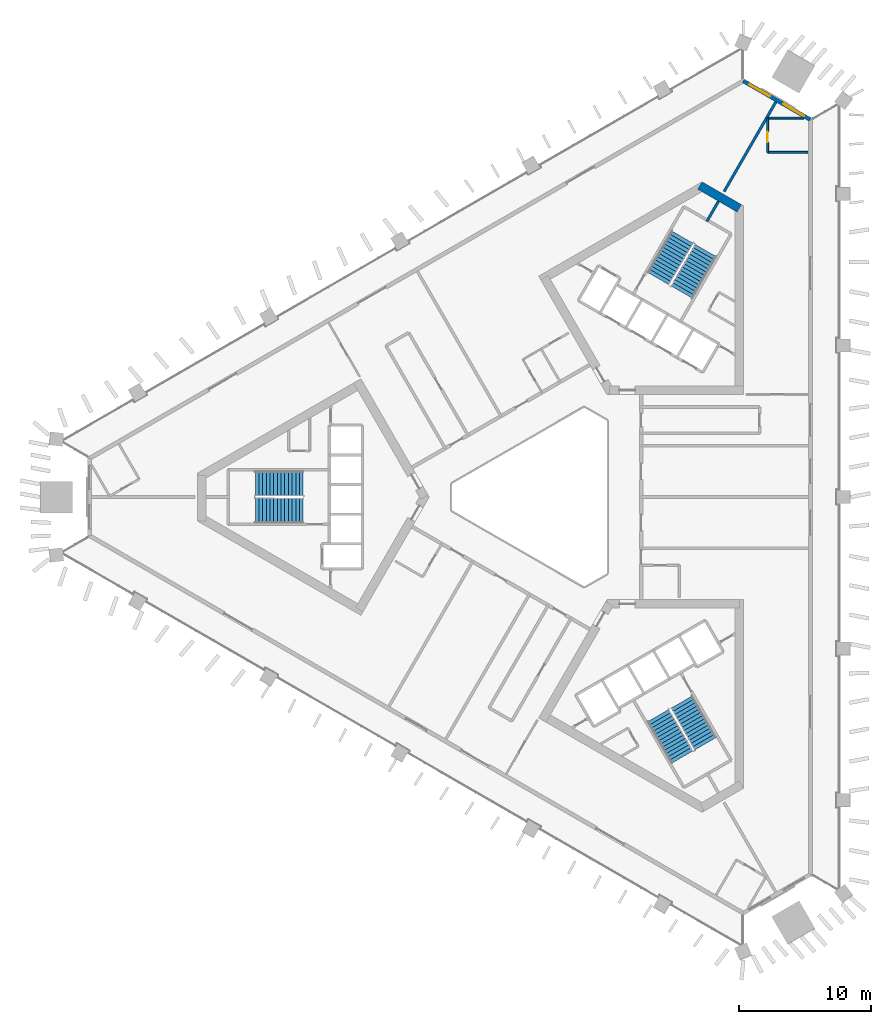
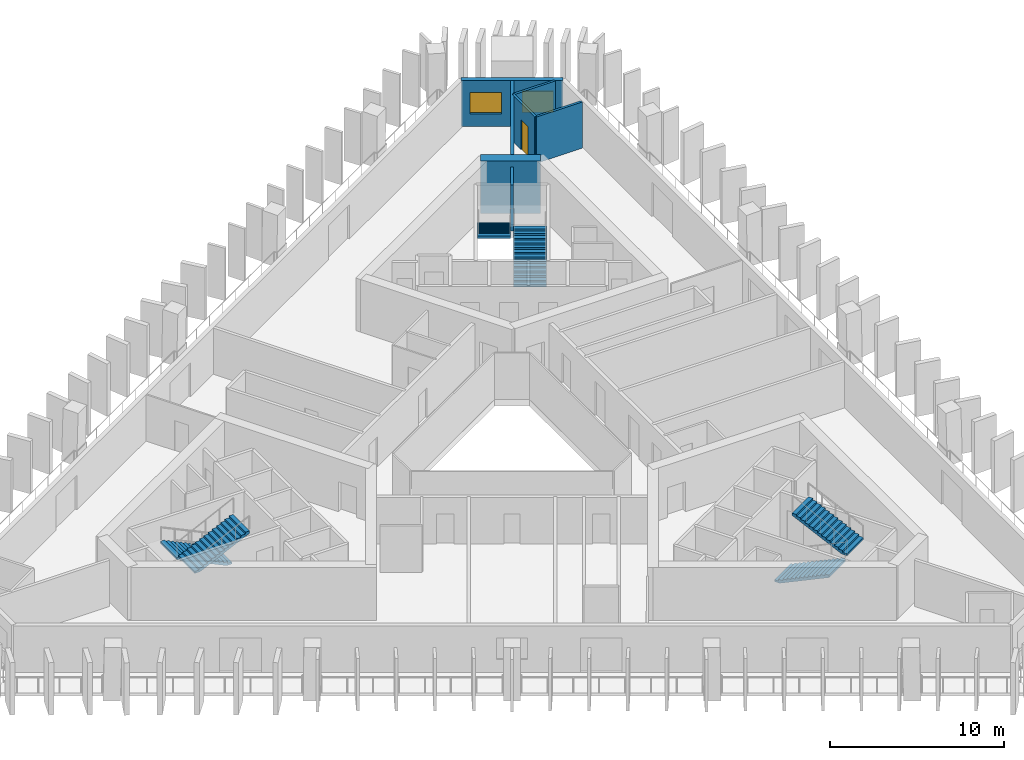
# One storey, part 6 of 10: 7 walls, 6 stair flights, 2 windows, 1 door, 3 openings, 3 elements without a shape of their own.
"""IFC4 building model written with IfcOpenShell, lengths in metres."""

from ifc_helpers import new_model, si_unit, direction, frame, frame_2d, origin, place, context, subcontext, project, spatial, polyline, rectangle, outline, extrude, material, layer, layer_set, type_object, element, fill, aggregate, save


model = new_model("IFC4")

# Units and contexts
model_context = context("Model", 3, precision=1e-05, world=origin(), true_north=direction((0.0, 1.0)))
body_context = subcontext(model_context, "Body", "Model", "MODEL_VIEW")
ifc_project = project(units=[si_unit("LENGTHUNIT", "METRE"), si_unit("AREAUNIT", "SQUARE_METRE"), si_unit("VOLUMEUNIT", "CUBIC_METRE"), si_unit("PLANEANGLEUNIT", "RADIAN"), si_unit("MASSUNIT", "GRAM", prefix="KILO")], contexts=[model_context])

# Site, building, storey
site_placement = place(None, origin())
site = spatial("IfcSite", under=ifc_project, at=site_placement, CompositionType="ELEMENT")
building_placement = place(site_placement, origin())
building = spatial("IfcBuilding", under=site, at=building_placement, Name="Jabali Bay Hotel Tower and Convention Centre", CompositionType="ELEMENT")
storey_placement = place(building_placement, frame((0.0, 0.0, 106.800048828125)))
storey = spatial("IfcBuildingStorey", under=building, at=storey_placement, Name="L25", CompositionType="ELEMENT", Elevation=106.800048828125)

# Walls
ifc_material_1 = material(Name="Concrete C40", Category="concrete")
ifc_layer_1 = layer(ifc_material_1, 0.199951171875)
ifc_layer_set_1 = layer_set([ifc_layer_1], Name="Concrete C40")
wall_type_1 = type_object("IfcWallType", Name="Core partition wall 200", PredefinedType="PARTITIONING", material=ifc_layer_set_1)
wall_1_placement = place(storey_placement, frame((87.090087890625, 100.9404296875, 0.0), z_axis=(0.0, 0.0, 1.0), x_axis=(0.499944938281, 0.866057191349, 0.0)))
element("IfcWall", 1, at=wall_1_placement, inside=storey, type_object=wall_type_1, Name="Core wall 1.5 L25", PredefinedType="PARTITIONING", context=body_context, shape_type="SweptSolid", body=[
    extrude(rectangle(XDim=1.773193359375, YDim=0.199951171875, at=frame_2d((0.88671875, 0.0))), origin(), (0.0, 0.0, 1.0), 3.25),
])
ifc_material_2 = material(Name="Concrete C60", Category="concrete")
ifc_layer_2 = layer(ifc_material_2, 0.64990234375)
ifc_layer_set_2 = layer_set([ifc_layer_2], Name="Concrete C60")
wall_type_2 = type_object("IfcWallType", Name="Core wall 650", PredefinedType="SHEAR", material=ifc_layer_set_2)
wall_2_placement = place(storey_placement, frame((89.554931640625, 101.93994140625, 0.0), z_axis=(0.0, 0.0, 1.0), x_axis=(-0.866031550877, 0.499989352773, 0.0)))
element("IfcWall", 2, at=wall_2_placement, inside=storey, type_object=wall_type_2, Name="Core wall 2.3 L25", PredefinedType="SHEAR", context=body_context, shape_type="SweptSolid", body=[
    extrude(rectangle(XDim=3.45751953125, YDim=0.64990234375, at=frame_2d((1.728759765625, 0.0))), origin(), (0.0, 0.0, 1.0), 3.699951171875),
])

# Wall, openings, windows
ifc_layer_3 = layer(ifc_material_1, 0.300048828125)
ifc_layer_set_3 = layer_set([ifc_layer_3], Name="Concrete C40")
wall_type_3 = type_object("IfcWallType", Name="External wall 300", PredefinedType="SOLIDWALL", material=ifc_layer_set_3)
wall_3_placement = place(storey_placement, frame((89.865966796875, 111.61865234375, 0.0), z_axis=(0.0, 0.0, 1.0), x_axis=(0.8660179712, -0.500012873392, 0.0)))
wall_3 = element("IfcWall", 3, at=wall_3_placement, inside=storey, type_object=wall_type_3, Name="External wall north-east chamfer L25", PredefinedType="SOLIDWALL", context=body_context, shape_type="SweptSolid", body=[
    extrude(rectangle(XDim=5.869873046875, YDim=0.300048828125, at=frame_2d((2.93505859375, 0.0))), origin(), (0.0, 0.0, 1.0), 3.25),
])
opening_1_placement = place(wall_3_placement, frame((3.5224609375, 0.0, 0.89990234375)))
opening_1 = element("IfcOpeningElement", 4, at=opening_1_placement, cuts=wall_3, Name="Opening W1", PredefinedType="OPENING", context=body_context, shape_type="SweptSolid", body=[
    extrude(rectangle(XDim=1.800048828125, YDim=1.5, at=frame_2d((0.89990234375, 0.75))), frame((0.0, 0.16064453125, 0.0), z_axis=(0.0, -1.0, 0.0), x_axis=(1.0, 0.0, 0.0)), (0.0, 0.0, 1.0), 0.321044921875),
])
opening_2_placement = place(wall_3_placement, frame((0.524658203125, 0.0, 0.89990234375)))
opening_2 = element("IfcOpeningElement", 5, at=opening_2_placement, cuts=wall_3, Name="Opening W1", PredefinedType="OPENING", context=body_context, shape_type="SweptSolid", body=[
    extrude(rectangle(XDim=1.800048828125, YDim=1.5, at=frame_2d((0.89990234375, 0.75))), frame((0.0, 0.16064453125, 0.0), z_axis=(0.0, -1.0, 0.0), x_axis=(1.0, 0.0, 0.0)), (0.0, 0.0, 1.0), 0.321044921875),
])
ifc_material_3 = material(Name="Glass", Category="glass")
window_type = type_object("IfcWindowType", Name="Window 1800 x 1500", PartitioningType="SINGLE_PANEL", PredefinedType="WINDOW", material=ifc_material_3)
window_1_placement = place(opening_1_placement, origin())
window_1 = element("IfcWindow", 6, at=window_1_placement, inside=storey, type_object=window_type, Name="Window 2502", OverallHeight=1.5, OverallWidth=1.800048828125, PartitioningType="SINGLE_PANEL", PredefinedType="WINDOW", context=body_context, shape_type="SweptSolid", body=[
    extrude(rectangle(XDim=1.800048828125, YDim=1.5, at=frame_2d((0.89990234375, 0.75))), frame((0.0, 0.030029296875, 0.0), z_axis=(0.0, -1.0, 0.0), x_axis=(1.0, 0.0, 0.0)), (0.0, 0.0, 1.0), 0.06005859375),
])
fill(opening_1, window_1)
window_2_placement = place(opening_2_placement, origin())
window_2 = element("IfcWindow", 7, at=window_2_placement, inside=storey, type_object=window_type, Name="Window 2504", OverallHeight=1.5, OverallWidth=1.800048828125, PartitioningType="SINGLE_PANEL", PredefinedType="WINDOW", context=body_context, shape_type="SweptSolid", body=[
    extrude(rectangle(XDim=1.800048828125, YDim=1.5, at=frame_2d((0.89990234375, 0.75))), frame((0.0, 0.030029296875, 0.0), z_axis=(0.0, -1.0, 0.0), x_axis=(1.0, 0.0, 0.0)), (0.0, 0.0, 1.0), 0.06005859375),
])
fill(opening_2, window_2)

# Wall
ifc_material_4 = material(Name="Plasterboard on steel stud", Category="steel")
ifc_layer_4 = layer(ifc_material_4, 0.14990234375)
ifc_layer_set_4 = layer_set([ifc_layer_4], Name="Plasterboard on steel stud")
wall_type_4 = type_object("IfcWallType", Name="Partition 150 wet", PredefinedType="PARTITIONING", material=ifc_layer_set_4)
wall_4_placement = place(storey_placement, frame((94.759521484375, 106.1943359375, 0.0), z_axis=(0.0, 0.0, 1.0), x_axis=(-1.0, 0.0, 0.0)))
element("IfcWall", 8, at=wall_4_placement, inside=storey, type_object=wall_type_4, Name="Partition P03 L25 011", PredefinedType="PARTITIONING", context=body_context, shape_type="SweptSolid", body=[
    extrude(rectangle(XDim=3.057861328125, YDim=0.14990234375, at=frame_2d((1.52880859375, 0.0))), origin(), (0.0, 0.0, 1.0), 3.25),
])

# Wall, opening, door
wall_5_placement = place(storey_placement, frame((91.70166015625, 106.1943359375, 0.0), z_axis=(0.0, 0.0, 1.0), x_axis=(0.0, 1.0, 0.0)))
wall_5 = element("IfcWall", 9, at=wall_5_placement, inside=storey, type_object=wall_type_4, Name="Partition P03 L25 012", PredefinedType="PARTITIONING", context=body_context, shape_type="SweptSolid", body=[
    extrude(rectangle(XDim=2.599853515625, YDim=0.14990234375, at=frame_2d((1.2998046875, 0.0))), origin(), (0.0, 0.0, 1.0), 3.25),
])
opening_3_placement = place(wall_5_placement, frame((0.75, 0.0, 0.0)))
opening_3 = element("IfcOpeningElement", 10, at=opening_3_placement, cuts=wall_5, Name="Opening 2507", PredefinedType="OPENING", context=body_context, shape_type="SweptSolid", body=[
    extrude(rectangle(XDim=0.800048828125, YDim=2.10009765625, at=frame_2d((0.39990234375, 1.050048828125))), frame((0.0, 0.08544921875, 0.0), z_axis=(0.0, -1.0, 0.0), x_axis=(1.0, 0.0, 0.0)), (0.0, 0.0, 1.0), 0.1708984375),
])
ifc_material_5 = material(Name="Timber", Category="wood")
door_type = type_object("IfcDoorType", Name="En-suite door 800 x 2100", OperationType="NOTDEFINED", PredefinedType="NOTDEFINED", material=ifc_material_5)
door_placement = place(opening_3_placement, origin())
door = element("IfcDoor", 11, at=door_placement, inside=storey, type_object=door_type, Name="Door 2507", OperationType="SINGLE_SWING_LEFT", OverallHeight=2.10009765625, OverallWidth=0.800048828125, PredefinedType="NOTDEFINED", context=body_context, shape_type="SweptSolid", body=[
    extrude(rectangle(XDim=0.800048828125, YDim=2.10009765625, at=frame_2d((0.39990234375, 1.050048828125))), frame((0.0, 0.02490234375, 0.0), z_axis=(0.0, -1.0, 0.0), x_axis=(1.0, 0.0, 0.0)), (0.0, 0.0, 1.0), 0.050048828125),
])
fill(opening_3, door)

# Walls
wall_6_placement = place(storey_placement, frame((91.70166015625, 108.794189453125, 0.0), z_axis=(0.0, 0.0, 1.0), x_axis=(1.0, 0.0, 0.0)))
element("IfcWall", 12, at=wall_6_placement, inside=storey, type_object=wall_type_4, Name="Partition P03 L25 013", PredefinedType="PARTITIONING", context=body_context, shape_type="SweptSolid", body=[
    extrude(rectangle(XDim=2.758056640625, YDim=0.14990234375, at=frame_2d((1.37890625, 0.0))), origin(), (0.0, 0.0, 1.0), 3.25),
])
ifc_layer_5 = layer(ifc_material_4, 0.199951171875)
ifc_layer_set_5 = layer_set([ifc_layer_5], Name="Plasterboard on steel stud")
wall_type_5 = type_object("IfcWallType", Name="Partition 200 party", PredefinedType="PARTITIONING", material=ifc_layer_set_5)
wall_7_placement = place(storey_placement, frame((92.333984375, 110.021484375, 0.0), z_axis=(0.0, 0.0, 1.0), x_axis=(-0.4999920731, -0.866029980334, 0.0)))
element("IfcWall", 13, at=wall_7_placement, inside=storey, type_object=wall_type_5, Name="Partition P01 L25 014", PredefinedType="PARTITIONING", context=body_context, shape_type="SweptSolid", body=[
    extrude(rectangle(XDim=7.864501953125, YDim=0.199951171875, at=frame_2d((3.93212890625, 0.0))), origin(), (0.0, 0.0, 1.0), 3.25),
])

# Stair, stair flights
stair_type = type_object("IfcStairType", Name="Exit stair 1900", PredefinedType="HALF_TURN_STAIR", material=ifc_material_1)
stair_1_placement = place(storey_placement, origin())
stair_1 = element("IfcStair", 14, at=stair_1_placement, inside=storey, type_object=stair_type, Name="L25 Exit Stair 1", PredefinedType="HALF_TURN_STAIR")
stair_flight_type = type_object("IfcStairFlightType", Name="Stair flight concrete 150", PredefinedType="STRAIGHT", material=ifc_material_1)
stair_flight_1_placement = place(storey_placement, frame((56.419921875, 81.02490234375, 0.0), z_axis=(0.0, 0.0, 1.0), x_axis=(-1.0, 0.0, 0.0)))
stair_flight_1 = element("IfcStairFlight", 15, at=stair_flight_1_placement, type_object=stair_flight_type, Name="ST1 flight 1", NumberOfRisers=14, NumberOfTreads=13, PredefinedType="STRAIGHT", RiserHeight=0.132142857, TreadLength=0.28, context=body_context, shape_type="SweptSolid", body=[
    extrude(outline(polyline([(0.0, 0.0), (0.0, 0.132080078125), (0.280029296875, 0.132080078125), (0.280029296875, 0.264404296875), (0.56005859375, 0.264404296875), (0.56005859375, 0.396484375), (0.840087890625, 0.396484375), (0.840087890625, 0.528564453125), (1.1201171875, 0.528564453125), (1.1201171875, 0.66064453125), (1.39990234375, 0.66064453125), (1.39990234375, 0.79296875), (1.679931640625, 0.79296875), (1.679931640625, 0.925048828125), (1.9599609375, 0.925048828125), (1.9599609375, 1.05712890625), (2.239990234375, 1.05712890625), (2.239990234375, 1.189208984375), (2.52001953125, 1.189208984375), (2.52001953125, 1.321533203125), (2.800048828125, 1.321533203125), (2.800048828125, 1.45361328125), (3.080078125, 1.45361328125), (3.080078125, 1.585693359375), (3.360107421875, 1.585693359375), (3.360107421875, 1.7177734375), (3.639892578125, 1.7177734375), (3.639892578125, 1.85009765625), (3.639892578125, 1.552001953125), (0.351318359375, 0.0), (0.0, 0.0)])), frame((0.0, 0.949951171875, 0.0), z_axis=(0.0, -1.0, 0.0), x_axis=(1.0, 0.0, 0.0)), (0.0, 0.0, 1.0), 1.89990234375),
])
stair_flight_2_placement = place(storey_placement, frame((52.780029296875, 78.97509765625, 1.849853515625), z_axis=(0.0, 0.0, 1.0), x_axis=(1.0, 0.0, 0.0)))
stair_flight_2 = element("IfcStairFlight", 16, at=stair_flight_2_placement, type_object=stair_flight_type, Name="ST1 flight 2", NumberOfRisers=14, NumberOfTreads=13, PredefinedType="STRAIGHT", RiserHeight=0.132142857, TreadLength=0.28, context=body_context, shape_type="SweptSolid", body=[
    extrude(outline(polyline([(0.0, 0.0), (0.0, 0.132080078125), (0.280029296875, 0.132080078125), (0.280029296875, 0.264404296875), (0.56005859375, 0.264404296875), (0.56005859375, 0.396484375), (0.840087890625, 0.396484375), (0.840087890625, 0.528564453125), (1.1201171875, 0.528564453125), (1.1201171875, 0.66064453125), (1.39990234375, 0.66064453125), (1.39990234375, 0.79296875), (1.679931640625, 0.79296875), (1.679931640625, 0.925048828125), (1.9599609375, 0.925048828125), (1.9599609375, 1.05712890625), (2.239990234375, 1.05712890625), (2.239990234375, 1.189208984375), (2.52001953125, 1.189208984375), (2.52001953125, 1.321533203125), (2.800048828125, 1.321533203125), (2.800048828125, 1.45361328125), (3.080078125, 1.45361328125), (3.080078125, 1.585693359375), (3.360107421875, 1.585693359375), (3.360107421875, 1.7177734375), (3.639892578125, 1.7177734375), (3.639892578125, 1.85009765625), (3.639892578125, 1.552001953125), (0.351318359375, 0.0), (0.0, 0.0)])), frame((0.0, 0.949951171875, 0.0), z_axis=(0.0, -1.0, 0.0), x_axis=(1.0, 0.0, 0.0)), (0.0, 0.0, 1.0), 1.89990234375),
])
aggregate(stair_1, [stair_flight_1, stair_flight_2])

stair_2_placement = place(storey_placement, origin())
stair_2 = element("IfcStair", 17, at=stair_2_placement, inside=storey, type_object=stair_type, Name="L25 Exit Stair 2", PredefinedType="HALF_TURN_STAIR")
stair_flight_3_placement = place(storey_placement, frame((85.177734375, 95.578369140625, 0.0), z_axis=(0.0, 0.0, 1.0), x_axis=(0.5, 0.866025403784, 0.0)))
stair_flight_3 = element("IfcStairFlight", 18, at=stair_flight_3_placement, type_object=stair_flight_type, Name="ST2 flight 1", NumberOfRisers=14, NumberOfTreads=13, PredefinedType="STRAIGHT", RiserHeight=0.132142857, TreadLength=0.28, context=body_context, shape_type="SweptSolid", body=[
    extrude(outline(polyline([(0.0, 0.0), (0.0, 0.132080078125), (0.280029296875, 0.132080078125), (0.280029296875, 0.264404296875), (0.56005859375, 0.264404296875), (0.56005859375, 0.396484375), (0.840087890625, 0.396484375), (0.840087890625, 0.528564453125), (1.1201171875, 0.528564453125), (1.1201171875, 0.66064453125), (1.39990234375, 0.66064453125), (1.39990234375, 0.79296875), (1.679931640625, 0.79296875), (1.679931640625, 0.925048828125), (1.9599609375, 0.925048828125), (1.9599609375, 1.05712890625), (2.239990234375, 1.05712890625), (2.239990234375, 1.189208984375), (2.52001953125, 1.189208984375), (2.52001953125, 1.321533203125), (2.800048828125, 1.321533203125), (2.800048828125, 1.45361328125), (3.080078125, 1.45361328125), (3.080078125, 1.585693359375), (3.360107421875, 1.585693359375), (3.360107421875, 1.7177734375), (3.639892578125, 1.7177734375), (3.639892578125, 1.85009765625), (3.639892578125, 1.552001953125), (0.351318359375, 0.0), (0.0, 0.0)])), frame((0.0, 0.949951171875, 0.0), z_axis=(0.0, -1.0, 0.0), x_axis=(1.0, 0.0, 0.0)), (0.0, 0.0, 1.0), 1.89990234375),
])
stair_flight_4_placement = place(storey_placement, frame((85.222412109375, 99.755615234375, 1.849853515625), z_axis=(0.0, 0.0, 1.0), x_axis=(-0.5, -0.866025403784, 0.0)))
stair_flight_4 = element("IfcStairFlight", 19, at=stair_flight_4_placement, type_object=stair_flight_type, Name="ST2 flight 2", NumberOfRisers=14, NumberOfTreads=13, PredefinedType="STRAIGHT", RiserHeight=0.132142857, TreadLength=0.28, context=body_context, shape_type="SweptSolid", body=[
    extrude(outline(polyline([(0.0, 0.0), (0.0, 0.132080078125), (0.280029296875, 0.132080078125), (0.280029296875, 0.264404296875), (0.56005859375, 0.264404296875), (0.56005859375, 0.396484375), (0.840087890625, 0.396484375), (0.840087890625, 0.528564453125), (1.1201171875, 0.528564453125), (1.1201171875, 0.66064453125), (1.39990234375, 0.66064453125), (1.39990234375, 0.79296875), (1.679931640625, 0.79296875), (1.679931640625, 0.925048828125), (1.9599609375, 0.925048828125), (1.9599609375, 1.05712890625), (2.239990234375, 1.05712890625), (2.239990234375, 1.189208984375), (2.52001953125, 1.189208984375), (2.52001953125, 1.321533203125), (2.800048828125, 1.321533203125), (2.800048828125, 1.45361328125), (3.080078125, 1.45361328125), (3.080078125, 1.585693359375), (3.360107421875, 1.585693359375), (3.360107421875, 1.7177734375), (3.639892578125, 1.7177734375), (3.639892578125, 1.85009765625), (3.639892578125, 1.552001953125), (0.351318359375, 0.0), (0.0, 0.0)])), frame((0.0, 0.949951171875, 0.0), z_axis=(0.0, -1.0, 0.0), x_axis=(1.0, 0.0, 0.0)), (0.0, 0.0, 1.0), 1.89990234375),
])
aggregate(stair_2, [stair_flight_3, stair_flight_4])

stair_3_placement = place(storey_placement, origin())
stair_3 = element("IfcStair", 20, at=stair_3_placement, inside=storey, type_object=stair_type, Name="L25 Exit Stair 3", PredefinedType="HALF_TURN_STAIR")
stair_flight_5_placement = place(storey_placement, frame((83.40234375, 63.396728515625, 0.0), z_axis=(0.0, 0.0, 1.0), x_axis=(0.5, -0.866025403784, 0.0)))
stair_flight_5 = element("IfcStairFlight", 21, at=stair_flight_5_placement, type_object=stair_flight_type, Name="ST3 flight 1", NumberOfRisers=14, NumberOfTreads=13, PredefinedType="STRAIGHT", RiserHeight=0.132142857, TreadLength=0.28, context=body_context, shape_type="SweptSolid", body=[
    extrude(outline(polyline([(0.0, 0.0), (0.0, 0.132080078125), (0.280029296875, 0.132080078125), (0.280029296875, 0.264404296875), (0.56005859375, 0.264404296875), (0.56005859375, 0.396484375), (0.840087890625, 0.396484375), (0.840087890625, 0.528564453125), (1.1201171875, 0.528564453125), (1.1201171875, 0.66064453125), (1.39990234375, 0.66064453125), (1.39990234375, 0.79296875), (1.679931640625, 0.79296875), (1.679931640625, 0.925048828125), (1.9599609375, 0.925048828125), (1.9599609375, 1.05712890625), (2.239990234375, 1.05712890625), (2.239990234375, 1.189208984375), (2.52001953125, 1.189208984375), (2.52001953125, 1.321533203125), (2.800048828125, 1.321533203125), (2.800048828125, 1.45361328125), (3.080078125, 1.45361328125), (3.080078125, 1.585693359375), (3.360107421875, 1.585693359375), (3.360107421875, 1.7177734375), (3.639892578125, 1.7177734375), (3.639892578125, 1.85009765625), (3.639892578125, 1.552001953125), (0.351318359375, 0.0), (0.0, 0.0)])), frame((0.0, 0.949951171875, 0.0), z_axis=(0.0, -1.0, 0.0), x_axis=(1.0, 0.0, 0.0)), (0.0, 0.0, 1.0), 1.89990234375),
])
stair_flight_6_placement = place(storey_placement, frame((86.99755859375, 61.26953125, 1.849853515625), z_axis=(0.0, 0.0, 1.0), x_axis=(-0.5, 0.866025403784, 0.0)))
stair_flight_6 = element("IfcStairFlight", 22, at=stair_flight_6_placement, type_object=stair_flight_type, Name="ST3 flight 2", NumberOfRisers=14, NumberOfTreads=13, PredefinedType="STRAIGHT", RiserHeight=0.132142857, TreadLength=0.28, context=body_context, shape_type="SweptSolid", body=[
    extrude(outline(polyline([(0.0, 0.0), (0.0, 0.132080078125), (0.280029296875, 0.132080078125), (0.280029296875, 0.264404296875), (0.56005859375, 0.264404296875), (0.56005859375, 0.396484375), (0.840087890625, 0.396484375), (0.840087890625, 0.528564453125), (1.1201171875, 0.528564453125), (1.1201171875, 0.66064453125), (1.39990234375, 0.66064453125), (1.39990234375, 0.79296875), (1.679931640625, 0.79296875), (1.679931640625, 0.925048828125), (1.9599609375, 0.925048828125), (1.9599609375, 1.05712890625), (2.239990234375, 1.05712890625), (2.239990234375, 1.189208984375), (2.52001953125, 1.189208984375), (2.52001953125, 1.321533203125), (2.800048828125, 1.321533203125), (2.800048828125, 1.45361328125), (3.080078125, 1.45361328125), (3.080078125, 1.585693359375), (3.360107421875, 1.585693359375), (3.360107421875, 1.7177734375), (3.639892578125, 1.7177734375), (3.639892578125, 1.85009765625), (3.639892578125, 1.552001953125), (0.351318359375, 0.0), (0.0, 0.0)])), frame((0.0, 0.949951171875, 0.0), z_axis=(0.0, -1.0, 0.0), x_axis=(1.0, 0.0, 0.0)), (0.0, 0.0, 1.0), 1.89990234375),
])
aggregate(stair_3, [stair_flight_5, stair_flight_6])

save(model, "model.ifc")
